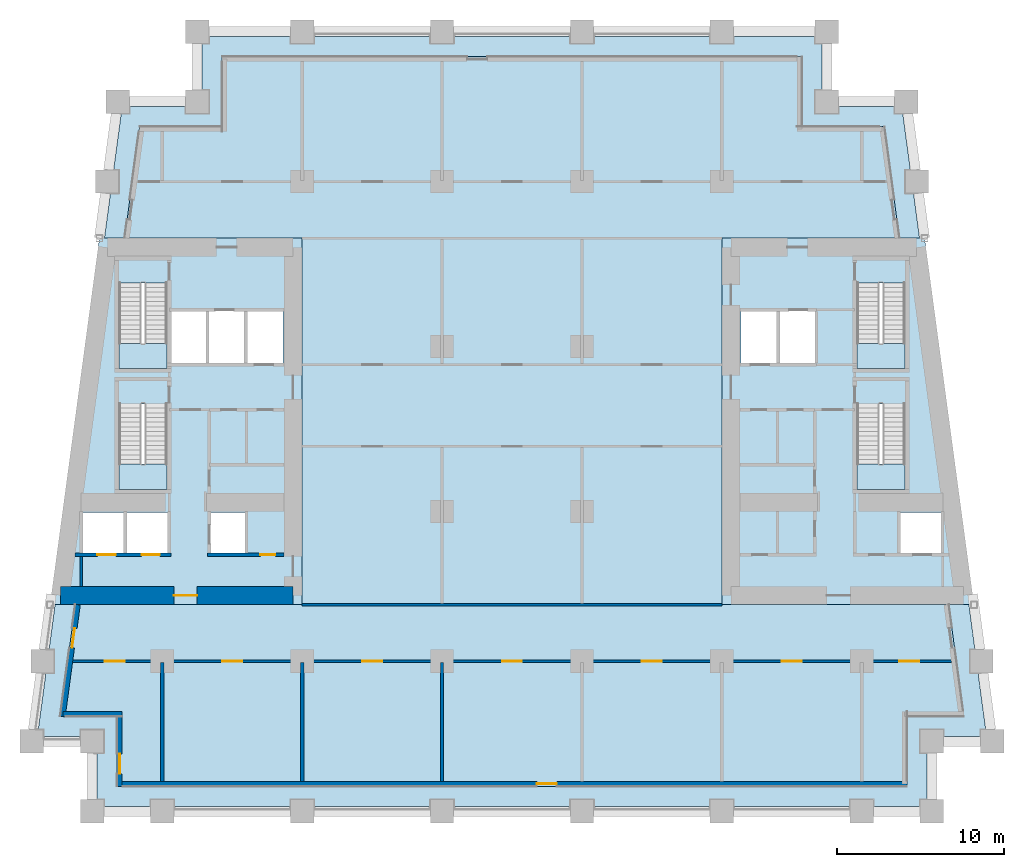
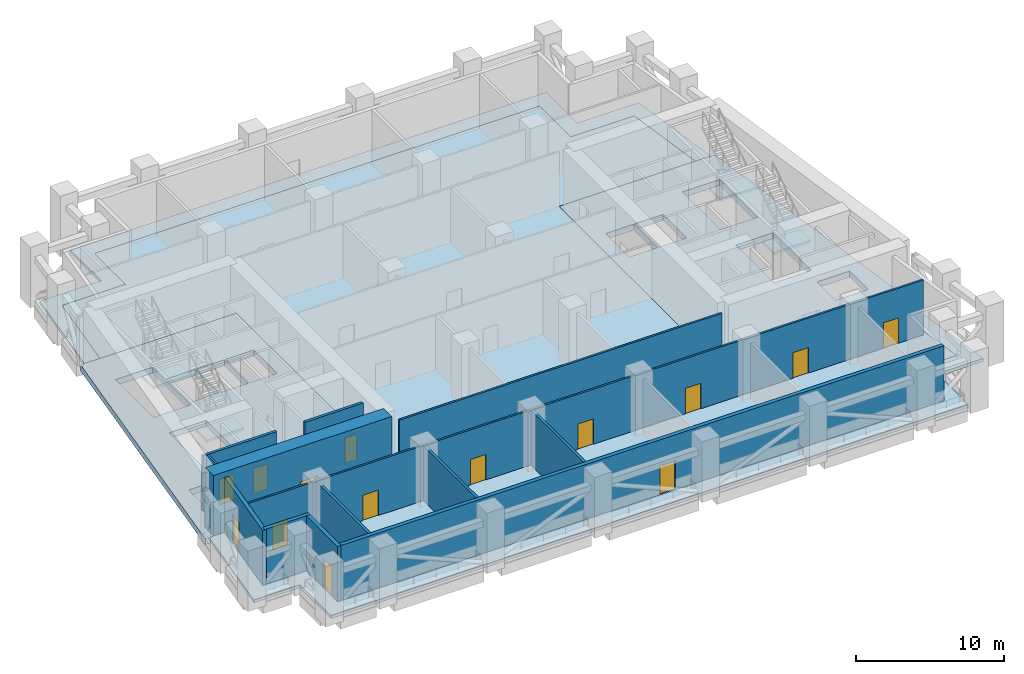
# One storey, part 4 of 12: 14 doors, 13 walls, 9 slabs, 14 openings, 4 elements without a shape of their own.
"""IFC4 building model written with IfcOpenShell, lengths in metres."""

from ifc_helpers import new_model, si_unit, direction, frame, frame_2d, origin, place, context, subcontext, project, spatial, polyline, rectangle, outline, extrude, material, layer, layer_set, type_object, element, fill, aggregate, save


model = new_model("IFC4")

# Units and contexts
model_context = context("Model", 3, precision=1e-05, world=origin(), true_north=direction((0.0, 1.0)))
body_context = subcontext(model_context, "Body", "Model", "MODEL_VIEW")
ifc_project = project(units=[si_unit("LENGTHUNIT", "METRE"), si_unit("AREAUNIT", "SQUARE_METRE"), si_unit("VOLUMEUNIT", "CUBIC_METRE"), si_unit("PLANEANGLEUNIT", "RADIAN"), si_unit("MASSUNIT", "GRAM", prefix="KILO")], contexts=[model_context])

# Site, building, storey
site_placement = place(None, origin())
site = spatial("IfcSite", under=ifc_project, at=site_placement, CompositionType="ELEMENT")
building_placement = place(site_placement, origin())
building = spatial("IfcBuilding", under=site, at=building_placement, Name="Candeia Pilgrim Tower and Theatre", CompositionType="ELEMENT")
storey_placement = place(building_placement, frame((0.0, 0.0, 81.0)))
storey = spatial("IfcBuildingStorey", under=building, at=storey_placement, Name="L18", CompositionType="ELEMENT", Elevation=81.0)

# Slabs
ifc_material_1 = material(Name="Concrete C60/75", Category="concrete")
ifc_layer_1 = layer(ifc_material_1, 0.5)
ifc_layer_set_1 = layer_set([ifc_layer_1], Name="FS-CORE 500 core floor")
slab_type_1 = type_object("IfcSlabType", Name="FS-CORE 500 core floor", PredefinedType="FLOOR", material=ifc_layer_set_1)
slab_1_placement = place(storey_placement, frame((0.0, 0.0, -0.5)))
element("IfcSlab", 1, at=slab_1_placement, inside=storey, type_object=slab_type_1, Name="Core floor W L18", PredefinedType="FLOOR", context=body_context, shape_type="SweptSolid", body=[
    extrude(outline(polyline([(100.800048828125, 132.39990234375), (100.800048828125, 110.39990234375), (85.669189453125, 110.39990234375), (88.630859375, 132.39990234375), (100.800048828125, 132.39990234375)]), holes=[polyline([(97.458984375, 128.050048828125), (97.458984375, 124.85009765625), (99.64990234375, 124.85009765625), (99.64990234375, 128.050048828125), (97.458984375, 128.050048828125)]), polyline([(95.277099609375, 115.949951171875), (95.277099609375, 113.449951171875), (97.41357421875, 113.449951171875), (97.41357421875, 115.949951171875), (95.277099609375, 115.949951171875)]), polyline([(95.16796875, 128.050048828125), (95.16796875, 124.85009765625), (97.35888671875, 124.85009765625), (97.35888671875, 128.050048828125), (95.16796875, 128.050048828125)]), polyline([(92.876953125, 128.050048828125), (92.876953125, 124.85009765625), (95.068115234375, 124.85009765625), (95.068115234375, 128.050048828125), (92.876953125, 128.050048828125)]), polyline([(90.228515625, 115.949951171875), (90.228515625, 113.449951171875), (92.777099609375, 113.449951171875), (92.777099609375, 115.949951171875), (90.228515625, 115.949951171875)]), polyline([(89.802001953125, 122.455078125), (89.802001953125, 117.324951171875), (92.701904296875, 117.324951171875), (92.701904296875, 122.455078125), (89.802001953125, 122.455078125)]), polyline([(89.802001953125, 129.705078125), (89.802001953125, 124.574951171875), (92.701904296875, 124.574951171875), (92.701904296875, 129.705078125), (89.802001953125, 129.705078125)]), polyline([(87.580078125, 115.949951171875), (87.580078125, 113.449951171875), (90.12841796875, 113.449951171875), (90.12841796875, 115.949951171875), (87.580078125, 115.949951171875)])]), origin(), (0.0, 0.0, 1.0), 0.5),
])
slab_2_placement = place(storey_placement, frame((0.0, 0.0, -0.5)))
element("IfcSlab", 2, at=slab_2_placement, inside=storey, type_object=slab_type_1, Name="Core floor E L18", PredefinedType="FLOOR", context=body_context, shape_type="SweptSolid", body=[
    extrude(outline(polyline([(138.169189453125, 132.39990234375), (141.130859375, 110.39990234375), (126.0, 110.39990234375), (126.0, 132.39990234375), (138.169189453125, 132.39990234375)]), holes=[polyline([(136.67138671875, 115.949951171875), (136.67138671875, 113.449951171875), (139.219970703125, 113.449951171875), (139.219970703125, 115.949951171875), (136.67138671875, 115.949951171875)]), polyline([(134.097900390625, 117.324951171875), (136.998046875, 117.324951171875), (136.998046875, 122.455078125), (134.097900390625, 122.455078125), (134.097900390625, 117.324951171875)]), polyline([(134.097900390625, 129.705078125), (134.097900390625, 124.574951171875), (136.998046875, 124.574951171875), (136.998046875, 129.705078125), (134.097900390625, 129.705078125)]), polyline([(131.632080078125, 128.050048828125), (129.44091796875, 128.050048828125), (129.44091796875, 124.85009765625), (131.632080078125, 124.85009765625), (131.632080078125, 128.050048828125)]), polyline([(127.14990234375, 128.050048828125), (127.14990234375, 124.85009765625), (129.341064453125, 124.85009765625), (129.341064453125, 128.050048828125), (127.14990234375, 128.050048828125)])]), origin(), (0.0, 0.0, 1.0), 0.5),
])
ifc_material_2 = material(Name="Concrete C50/60", Category="concrete")
ifc_layer_2 = layer(ifc_material_2, 0.5)
ifc_layer_set_2 = layer_set([ifc_layer_2], Name="Floor slab 500 C50/60")
slab_type_2 = type_object("IfcSlabType", Name="Floor slab 500 C50/60", PredefinedType="FLOOR", material=ifc_layer_set_2)
slab_3_placement = place(storey_placement, frame((0.0, 0.0, -0.5)))
element("IfcSlab", 3, at=slab_3_placement, inside=storey, type_object=slab_type_2, Name="Floor slab L18", PredefinedType="FLOOR", context=body_context, shape_type="SweptSolid", body=[
    extrude(outline(polyline([(96.0, 139.10009765625), (96.0, 143.300048828125), (130.800048828125, 143.300048828125), (130.800048828125, 139.10009765625), (135.753662109375, 139.10009765625), (136.65576171875, 132.39990234375), (126.0, 132.39990234375), (126.0, 110.39990234375), (139.6171875, 110.39990234375), (140.51904296875, 103.699951171875), (137.10009765625, 103.699951171875), (137.10009765625, 99.5), (89.699951171875, 99.5), (89.699951171875, 103.699951171875), (86.28076171875, 103.699951171875), (87.182861328125, 110.39990234375), (100.800048828125, 110.39990234375), (100.800048828125, 132.39990234375), (90.144287109375, 132.39990234375), (91.046142578125, 139.10009765625), (96.0, 139.10009765625)])), origin(), (0.0, 0.0, 1.0), 0.5),
])
ifc_material_3 = material(Name="Concrete C40/50", Category="concrete")
ifc_layer_3 = layer(ifc_material_3, 0.25)
ifc_layer_set_3 = layer_set([ifc_layer_3], Name="Loggia slab 250 C40/50")
slab_type_3 = type_object("IfcSlabType", Name="Loggia slab 250 C40/50", PredefinedType="FLOOR", material=ifc_layer_set_3)
slab_4_placement = place(storey_placement, frame((0.0, 0.0, -0.25)))
element("IfcSlab", 4, at=slab_4_placement, inside=storey, type_object=slab_type_3, Name="Loggia slab L18 1", PredefinedType="FLOOR", context=body_context, shape_type="SweptSolid", body=[
    extrude(outline(polyline([(87.182861328125, 110.39990234375), (86.28076171875, 103.699951171875), (89.699951171875, 103.699951171875), (89.699951171875, 99.5), (137.10009765625, 99.5), (137.10009765625, 103.699951171875), (140.51904296875, 103.699951171875), (139.6171875, 110.39990234375), (140.828125, 110.39990234375), (141.8916015625, 102.5), (138.300048828125, 102.5), (138.300048828125, 98.300048828125), (88.5, 98.300048828125), (88.5, 102.5), (84.908447265625, 102.5), (85.971923828125, 110.39990234375), (87.182861328125, 110.39990234375)])), origin(), (0.0, 0.0, 1.0), 0.25),
])
slab_5_placement = place(storey_placement, frame((0.0, 0.0, -0.25)))
element("IfcSlab", 5, at=slab_5_placement, inside=storey, type_object=slab_type_3, Name="Loggia slab L18 2", PredefinedType="FLOOR", context=body_context, shape_type="SweptSolid", body=[
    extrude(outline(polyline([(136.65576171875, 132.39990234375), (135.753662109375, 139.10009765625), (130.800048828125, 139.10009765625), (130.800048828125, 143.300048828125), (96.0, 143.300048828125), (96.0, 139.10009765625), (91.046142578125, 139.10009765625), (90.144287109375, 132.39990234375), (88.93359375, 132.39990234375), (89.996826171875, 140.300048828125), (94.800048828125, 140.300048828125), (94.800048828125, 144.5), (132.0, 144.5), (132.0, 140.300048828125), (136.802978515625, 140.300048828125), (137.866455078125, 132.39990234375), (136.65576171875, 132.39990234375)])), origin(), (0.0, 0.0, 1.0), 0.25),
])

# Stair, slab
stair_type = type_object("IfcStairType", Name="ST-TWR dog-leg escape stair", PredefinedType="HALF_TURN_STAIR", material=ifc_material_3)
stair_1_placement = place(storey_placement, origin())
stair_1 = element("IfcStair", 6, at=stair_1_placement, inside=storey, type_object=stair_type, Name="L18 Escape stair ST1", PredefinedType="HALF_TURN_STAIR")
ifc_layer_4 = layer(ifc_material_3, 0.199951171875)
ifc_layer_set_4 = layer_set([ifc_layer_4], Name="SL-LANDING stair landing")
slab_type_4 = type_object("IfcSlabType", Name="SL-LANDING stair landing", PredefinedType="LANDING", material=ifc_layer_set_4)
slab_6_placement = place(storey_placement, frame((0.0, 0.0, 2.300048828125)))
slab_6 = element("IfcSlab", 7, at=slab_6_placement, type_object=slab_type_4, Name="ST1 landing 1", PredefinedType="LANDING", context=body_context, shape_type="SweptSolid", body=[
    extrude(outline(polyline([(89.802001953125, 118.8349609375), (89.802001953125, 117.324951171875), (92.701904296875, 117.324951171875), (92.701904296875, 118.8349609375), (89.802001953125, 118.8349609375)])), origin(), (0.0, 0.0, 1.0), 0.199951171875),
])
aggregate(stair_1, [slab_6])

stair_2_placement = place(storey_placement, origin())
stair_2 = element("IfcStair", 8, at=stair_2_placement, inside=storey, type_object=stair_type, Name="L18 Escape stair ST2", PredefinedType="HALF_TURN_STAIR")
slab_7_placement = place(storey_placement, frame((0.0, 0.0, 2.300048828125)))
slab_7 = element("IfcSlab", 9, at=slab_7_placement, type_object=slab_type_4, Name="ST2 landing 1", PredefinedType="LANDING", context=body_context, shape_type="SweptSolid", body=[
    extrude(outline(polyline([(89.802001953125, 126.0849609375), (89.802001953125, 124.574951171875), (92.701904296875, 124.574951171875), (92.701904296875, 126.0849609375), (89.802001953125, 126.0849609375)])), origin(), (0.0, 0.0, 1.0), 0.199951171875),
])
aggregate(stair_2, [slab_7])

stair_3_placement = place(storey_placement, origin())
stair_3 = element("IfcStair", 10, at=stair_3_placement, inside=storey, type_object=stair_type, Name="L18 Escape stair ST3", PredefinedType="HALF_TURN_STAIR")
slab_8_placement = place(storey_placement, frame((0.0, 0.0, 2.300048828125)))
slab_8 = element("IfcSlab", 11, at=slab_8_placement, type_object=slab_type_4, Name="ST3 landing 1", PredefinedType="LANDING", context=body_context, shape_type="SweptSolid", body=[
    extrude(outline(polyline([(134.097900390625, 118.8349609375), (134.097900390625, 117.324951171875), (136.998046875, 117.324951171875), (136.998046875, 118.8349609375), (134.097900390625, 118.8349609375)])), origin(), (0.0, 0.0, 1.0), 0.199951171875),
])
aggregate(stair_3, [slab_8])

stair_4_placement = place(storey_placement, origin())
stair_4 = element("IfcStair", 12, at=stair_4_placement, inside=storey, type_object=stair_type, Name="L18 Escape stair ST4", PredefinedType="HALF_TURN_STAIR")
slab_9_placement = place(storey_placement, frame((0.0, 0.0, 2.300048828125)))
slab_9 = element("IfcSlab", 13, at=slab_9_placement, type_object=slab_type_4, Name="ST4 landing 1", PredefinedType="LANDING", context=body_context, shape_type="SweptSolid", body=[
    extrude(outline(polyline([(134.097900390625, 126.0849609375), (134.097900390625, 124.574951171875), (136.998046875, 124.574951171875), (136.998046875, 126.0849609375), (134.097900390625, 126.0849609375)])), origin(), (0.0, 0.0, 1.0), 0.199951171875),
])
aggregate(stair_4, [slab_9])

# Wall, opening, door
ifc_material_4 = material(Name="Concrete C80/95", Category="concrete")
ifc_layer_5 = layer(ifc_material_4, 1.10009765625)
ifc_layer_set_5 = layer_set([ifc_layer_5], Name="Core wall 1100 C80/95")
wall_type_1 = type_object("IfcWallType", Name="Core wall 1100 C80/95", PredefinedType="SHEAR", material=ifc_layer_set_5)
wall_1_placement = place(storey_placement, frame((100.25, 110.949951171875, 0.0), z_axis=(0.0, 0.0, 1.0), x_axis=(-1.0, 0.0, 0.0)))
wall_1 = element("IfcWall", 14, at=wall_1_placement, inside=storey, type_object=wall_type_1, Name="Core wall W3", PredefinedType="SHEAR", context=body_context, shape_type="SweptSolid", body=[
    extrude(rectangle(XDim=13.95166015625, YDim=1.10009765625, at=frame_2d((6.975830078125, 0.0))), origin(), (0.0, 0.0, 1.0), 5.0),
])
opening_1_placement = place(wall_1_placement, frame((5.74755859375, 0.0, 0.0)))
opening_1 = element("IfcOpeningElement", 15, at=opening_1_placement, cuts=wall_1, Name="Opening L18-D039", PredefinedType="OPENING", context=body_context, shape_type="SweptSolid", body=[
    extrude(rectangle(XDim=1.39990234375, YDim=2.10009765625, at=frame_2d((0.699951171875, 1.050048828125))), frame((0.0, 0.56005859375, 0.0), z_axis=(0.0, -1.0, 0.0), x_axis=(1.0, 0.0, 0.0)), (0.0, 0.0, 1.0), 1.1201171875),
])
ifc_material_5 = material(Name="Steel fire door set", Category="steel")
door_type_1 = type_object("IfcDoorType", Name="D-1400-FD60", OperationType="NOTDEFINED", PredefinedType="DOOR", material=ifc_material_5)
door_1_placement = place(opening_1_placement, origin())
door_1 = element("IfcDoor", 16, at=door_1_placement, inside=storey, type_object=door_type_1, Name="Door L18-D039", OperationType="SINGLE_SWING_LEFT", OverallHeight=2.10009765625, OverallWidth=1.39990234375, PredefinedType="DOOR", context=body_context, shape_type="SweptSolid", body=[
    extrude(rectangle(XDim=1.39990234375, YDim=2.10009765625, at=frame_2d((0.699951171875, 1.050048828125))), frame((0.0, 0.02490234375, 0.0), z_axis=(0.0, -1.0, 0.0), x_axis=(1.0, 0.0, 0.0)), (0.0, 0.0, 1.0), 0.050048828125),
])
fill(opening_1, door_1)

ifc_material_6 = material(Name="Ceramic block masonry", Category="masonry")
ifc_layer_6 = layer(ifc_material_6, 0.300048828125)
ifc_layer_set_6 = layer_set([ifc_layer_6], Name="EW1 glazing-line wall 300")
wall_type_2 = type_object("IfcWallType", Name="EW1 glazing-line wall 300", PredefinedType="SOLIDWALL", material=ifc_layer_set_6)
wall_2_placement = place(storey_placement, frame((89.85009765625, 99.64990234375, 0.0), z_axis=(0.0, 0.0, 1.0), x_axis=(1.0, 0.0, 0.0)))
wall_2 = element("IfcWall", 17, at=wall_2_placement, inside=storey, type_object=wall_type_2, Name="External wall L18-0.0", PredefinedType="SOLIDWALL", context=body_context, shape_type="SweptSolid", body=[
    extrude(rectangle(XDim=47.25, YDim=0.300048828125, at=frame_2d((23.625, 0.0))), origin(), (0.0, 0.0, 1.0), 4.550048828125),
])
opening_2_placement = place(wall_2_placement, frame((25.050048828125, 0.0, 0.0)))
opening_2 = element("IfcOpeningElement", 18, at=opening_2_placement, cuts=wall_2, Name="Opening L18-ED194", PredefinedType="OPENING", context=body_context, shape_type="SweptSolid", body=[
    extrude(rectangle(XDim=1.199951171875, YDim=2.39990234375, at=frame_2d((0.60009765625, 1.199951171875))), frame((0.0, 0.16015625, 0.0), z_axis=(0.0, -1.0, 0.0), x_axis=(1.0, 0.0, 0.0)), (0.0, 0.0, 1.0), 0.320068359375),
])
ifc_material_7 = material(Name="Aluminium framed glazed door", Category="aluminium")
door_type_2 = type_object("IfcDoorType", Name="Loggia door 1200x2400", OperationType="DOUBLE_DOOR_SINGLE_SWING", PredefinedType="DOOR", material=ifc_material_7)
door_2_placement = place(opening_2_placement, origin())
door_2 = element("IfcDoor", 19, at=door_2_placement, inside=storey, type_object=door_type_2, Name="Loggia door L18-ED194", OperationType="DOUBLE_DOOR_SINGLE_SWING", OverallHeight=2.39990234375, OverallWidth=1.199951171875, PredefinedType="DOOR", context=body_context, shape_type="SweptSolid", body=[
    extrude(rectangle(XDim=1.199951171875, YDim=2.39990234375, at=frame_2d((0.60009765625, 1.199951171875))), frame((0.0, 0.02490234375, 0.0), z_axis=(0.0, -1.0, 0.0), x_axis=(1.0, 0.0, 0.0)), (0.0, 0.0, 1.0), 0.050048828125),
])
fill(opening_2, door_2)

wall_3_placement = place(storey_placement, frame((87.334228515625, 110.39990234375, 0.0), z_axis=(0.0, 0.0, 1.0), x_axis=(-0.133437175554, -0.991057273915, 0.0)))
wall_3 = element("IfcWall", 20, at=wall_3_placement, inside=storey, type_object=wall_type_2, Name="External wall L18-9.1", PredefinedType="SOLIDWALL", context=body_context, shape_type="SweptSolid", body=[
    extrude(rectangle(XDim=6.780517578125, YDim=0.300048828125, at=frame_2d((3.39013671875, 0.0))), origin(), (0.0, 0.0, 1.0), 4.550048828125),
])
opening_3_placement = place(wall_3_placement, frame((1.41796875, 0.0, 0.0)))
opening_3 = element("IfcOpeningElement", 21, at=opening_3_placement, cuts=wall_3, Name="Opening L18-ED199", PredefinedType="OPENING", context=body_context, shape_type="SweptSolid", body=[
    extrude(rectangle(XDim=1.199951171875, YDim=2.39990234375, at=frame_2d((0.60009765625, 1.199951171875))), frame((0.0, 0.16015625, 0.0), z_axis=(0.0, -1.0, 0.0), x_axis=(1.0, 0.0, 0.0)), (0.0, 0.0, 1.0), 0.320068359375),
])
door_3_placement = place(opening_3_placement, origin())
door_3 = element("IfcDoor", 22, at=door_3_placement, inside=storey, type_object=door_type_2, Name="Loggia door L18-ED199", OperationType="DOUBLE_DOOR_SINGLE_SWING", OverallHeight=2.39990234375, OverallWidth=1.199951171875, PredefinedType="DOOR", context=body_context, shape_type="SweptSolid", body=[
    extrude(rectangle(XDim=1.199951171875, YDim=2.39990234375, at=frame_2d((0.60009765625, 1.199951171875))), frame((0.0, 0.02490234375, 0.0), z_axis=(0.0, -1.0, 0.0), x_axis=(1.0, 0.0, 0.0)), (0.0, 0.0, 1.0), 0.050048828125),
])
fill(opening_3, door_3)

# Wall
wall_4_placement = place(storey_placement, frame((86.452392578125, 103.85009765625, 0.0), z_axis=(0.0, 0.0, 1.0), x_axis=(1.0, 0.0, 0.0)))
element("IfcWall", 23, at=wall_4_placement, inside=storey, type_object=wall_type_2, Name="External wall L18-10.0", PredefinedType="SOLIDWALL", context=body_context, shape_type="SweptSolid", body=[
    extrude(rectangle(XDim=3.547607421875, YDim=0.300048828125, at=frame_2d((1.77392578125, 0.0))), origin(), (0.0, 0.0, 1.0), 4.550048828125),
])

# Wall, opening, door
wall_5_placement = place(storey_placement, frame((89.85009765625, 103.85009765625, 0.0), z_axis=(0.0, 0.0, 1.0), x_axis=(0.0, -1.0, 0.0)))
wall_5 = element("IfcWall", 24, at=wall_5_placement, inside=storey, type_object=wall_type_2, Name="External wall L18-11.0", PredefinedType="SOLIDWALL", context=body_context, shape_type="SweptSolid", body=[
    extrude(rectangle(XDim=4.35009765625, YDim=0.300048828125, at=frame_2d((2.175048828125, 0.0))), origin(), (0.0, 0.0, 1.0), 4.550048828125),
])
opening_4_placement = place(wall_5_placement, frame((2.39990234375, 0.0, 0.0)))
opening_4 = element("IfcOpeningElement", 25, at=opening_4_placement, cuts=wall_5, Name="Opening L18-ED200", PredefinedType="OPENING", context=body_context, shape_type="SweptSolid", body=[
    extrude(rectangle(XDim=1.199951171875, YDim=2.39990234375, at=frame_2d((0.60009765625, 1.199951171875))), frame((0.0, 0.16015625, 0.0), z_axis=(0.0, -1.0, 0.0), x_axis=(1.0, 0.0, 0.0)), (0.0, 0.0, 1.0), 0.320068359375),
])
door_4_placement = place(opening_4_placement, origin())
door_4 = element("IfcDoor", 26, at=door_4_placement, inside=storey, type_object=door_type_2, Name="Loggia door L18-ED200", OperationType="DOUBLE_DOOR_SINGLE_SWING", OverallHeight=2.39990234375, OverallWidth=1.199951171875, PredefinedType="DOOR", context=body_context, shape_type="SweptSolid", body=[
    extrude(rectangle(XDim=1.199951171875, YDim=2.39990234375, at=frame_2d((0.60009765625, 1.199951171875))), frame((0.0, 0.02490234375, 0.0), z_axis=(0.0, -1.0, 0.0), x_axis=(1.0, 0.0, 0.0)), (0.0, 0.0, 1.0), 0.050048828125),
])
fill(opening_4, door_4)

# Wall
ifc_material_8 = material(Name="Gypsum board partition on steel studs", Category="steel")
ifc_layer_7 = layer(ifc_material_8, 0.14990234375)
ifc_layer_set_7 = layer_set([ifc_layer_7], Name="PW-150 lobby wall")
wall_type_3 = type_object("IfcWallType", Name="PW-150 lobby wall", PredefinedType="PARTITIONING", material=ifc_layer_set_7)
wall_6_placement = place(storey_placement, frame((87.530029296875, 111.5, 0.0), z_axis=(0.0, 0.0, 1.0), x_axis=(0.0, 1.0, 0.0)))
element("IfcWall", 27, at=wall_6_placement, inside=storey, type_object=wall_type_3, Name="Lobby wall L18-032", PredefinedType="PARTITIONING", context=body_context, shape_type="SweptSolid", body=[
    extrude(rectangle(XDim=1.800048828125, YDim=0.14990234375, at=frame_2d((0.89990234375, 0.0))), origin(), (0.0, 0.0, 1.0), 4.550048828125),
])

# Wall, openings, doors
ifc_layer_8 = layer(ifc_material_8, 0.14990234375)
ifc_layer_set_8 = layer_set([ifc_layer_8], Name="PW-150 unit wall")
wall_type_4 = type_object("IfcWallType", Name="PW-150 unit wall", PredefinedType="PARTITIONING", material=ifc_layer_set_8)
wall_7_placement = place(storey_placement, frame((87.017578125, 107.0, 0.0), z_axis=(0.0, 0.0, 1.0), x_axis=(1.0, 0.0, 0.0)))
wall_7 = element("IfcWall", 28, at=wall_7_placement, inside=storey, type_object=wall_type_4, Name="Unit wall L18-001", PredefinedType="PARTITIONING", context=body_context, shape_type="SweptSolid", body=[
    extrude(rectangle(XDim=52.7646484375, YDim=0.14990234375, at=frame_2d((26.38232421875, 0.0))), origin(), (0.0, 0.0, 1.0), 4.550048828125),
])
opening_5_placement = place(wall_7_placement, frame((1.9443359375, 0.0, 0.0)))
opening_5 = element("IfcOpeningElement", 29, at=opening_5_placement, cuts=wall_7, Name="Opening L18-D001", PredefinedType="OPENING", context=body_context, shape_type="SweptSolid", body=[
    extrude(rectangle(XDim=1.199951171875, YDim=2.10009765625, at=frame_2d((0.60009765625, 1.050048828125))), frame((0.0, 0.0849609375, 0.0), z_axis=(0.0, -1.0, 0.0), x_axis=(1.0, 0.0, 0.0)), (0.0, 0.0, 1.0), 0.169921875),
])
opening_6_placement = place(wall_7_placement, frame((8.982421875, 0.0, 0.0)))
opening_6 = element("IfcOpeningElement", 30, at=opening_6_placement, cuts=wall_7, Name="Opening L18-D003", PredefinedType="OPENING", context=body_context, shape_type="SweptSolid", body=[
    extrude(rectangle(XDim=1.199951171875, YDim=2.10009765625, at=frame_2d((0.60009765625, 1.050048828125))), frame((0.0, 0.0849609375, 0.0), z_axis=(0.0, -1.0, 0.0), x_axis=(1.0, 0.0, 0.0)), (0.0, 0.0, 1.0), 0.169921875),
])
opening_7_placement = place(wall_7_placement, frame((17.38232421875, 0.0, 0.0)))
opening_7 = element("IfcOpeningElement", 31, at=opening_7_placement, cuts=wall_7, Name="Opening L18-D005", PredefinedType="OPENING", context=body_context, shape_type="SweptSolid", body=[
    extrude(rectangle(XDim=1.199951171875, YDim=2.10009765625, at=frame_2d((0.60009765625, 1.050048828125))), frame((0.0, 0.0849609375, 0.0), z_axis=(0.0, -1.0, 0.0), x_axis=(1.0, 0.0, 0.0)), (0.0, 0.0, 1.0), 0.169921875),
])
opening_8_placement = place(wall_7_placement, frame((25.7822265625, 0.0, 0.0)))
opening_8 = element("IfcOpeningElement", 32, at=opening_8_placement, cuts=wall_7, Name="Opening L18-D007", PredefinedType="OPENING", context=body_context, shape_type="SweptSolid", body=[
    extrude(rectangle(XDim=1.199951171875, YDim=2.10009765625, at=frame_2d((0.60009765625, 1.050048828125))), frame((0.0, 0.0849609375, 0.0), z_axis=(0.0, -1.0, 0.0), x_axis=(1.0, 0.0, 0.0)), (0.0, 0.0, 1.0), 0.169921875),
])
opening_9_placement = place(wall_7_placement, frame((34.182373046875, 0.0, 0.0)))
opening_9 = element("IfcOpeningElement", 33, at=opening_9_placement, cuts=wall_7, Name="Opening L18-D009", PredefinedType="OPENING", context=body_context, shape_type="SweptSolid", body=[
    extrude(rectangle(XDim=1.199951171875, YDim=2.10009765625, at=frame_2d((0.60009765625, 1.050048828125))), frame((0.0, 0.0849609375, 0.0), z_axis=(0.0, -1.0, 0.0), x_axis=(1.0, 0.0, 0.0)), (0.0, 0.0, 1.0), 0.169921875),
])
opening_10_placement = place(wall_7_placement, frame((42.582275390625, 0.0, 0.0)))
opening_10 = element("IfcOpeningElement", 34, at=opening_10_placement, cuts=wall_7, Name="Opening L18-D011", PredefinedType="OPENING", context=body_context, shape_type="SweptSolid", body=[
    extrude(rectangle(XDim=1.199951171875, YDim=2.10009765625, at=frame_2d((0.60009765625, 1.050048828125))), frame((0.0, 0.0849609375, 0.0), z_axis=(0.0, -1.0, 0.0), x_axis=(1.0, 0.0, 0.0)), (0.0, 0.0, 1.0), 0.169921875),
])
opening_11_placement = place(wall_7_placement, frame((49.619384765625, 0.0, 0.0)))
opening_11 = element("IfcOpeningElement", 35, at=opening_11_placement, cuts=wall_7, Name="Opening L18-D013", PredefinedType="OPENING", context=body_context, shape_type="SweptSolid", body=[
    extrude(rectangle(XDim=1.199951171875, YDim=2.10009765625, at=frame_2d((0.60009765625, 1.050048828125))), frame((0.0, 0.0849609375, 0.0), z_axis=(0.0, -1.0, 0.0), x_axis=(1.0, 0.0, 0.0)), (0.0, 0.0, 1.0), 0.169921875),
])
door_type_3 = type_object("IfcDoorType", Name="D-1200-FD60", OperationType="NOTDEFINED", PredefinedType="DOOR", material=ifc_material_5)
door_5_placement = place(opening_5_placement, origin())
door_5 = element("IfcDoor", 36, at=door_5_placement, inside=storey, type_object=door_type_3, Name="Door L18-D001", OperationType="SINGLE_SWING_LEFT", OverallHeight=2.10009765625, OverallWidth=1.199951171875, PredefinedType="DOOR", context=body_context, shape_type="SweptSolid", body=[
    extrude(rectangle(XDim=1.199951171875, YDim=2.10009765625, at=frame_2d((0.60009765625, 1.050048828125))), frame((0.0, 0.02490234375, 0.0), z_axis=(0.0, -1.0, 0.0), x_axis=(1.0, 0.0, 0.0)), (0.0, 0.0, 1.0), 0.050048828125),
])
fill(opening_5, door_5)
door_6_placement = place(opening_6_placement, origin())
door_6 = element("IfcDoor", 37, at=door_6_placement, inside=storey, type_object=door_type_3, Name="Door L18-D003", OperationType="SINGLE_SWING_LEFT", OverallHeight=2.10009765625, OverallWidth=1.199951171875, PredefinedType="DOOR", context=body_context, shape_type="SweptSolid", body=[
    extrude(rectangle(XDim=1.199951171875, YDim=2.10009765625, at=frame_2d((0.60009765625, 1.050048828125))), frame((0.0, 0.02490234375, 0.0), z_axis=(0.0, -1.0, 0.0), x_axis=(1.0, 0.0, 0.0)), (0.0, 0.0, 1.0), 0.050048828125),
])
fill(opening_6, door_6)
door_7_placement = place(opening_7_placement, origin())
door_7 = element("IfcDoor", 38, at=door_7_placement, inside=storey, type_object=door_type_3, Name="Door L18-D005", OperationType="SINGLE_SWING_LEFT", OverallHeight=2.10009765625, OverallWidth=1.199951171875, PredefinedType="DOOR", context=body_context, shape_type="SweptSolid", body=[
    extrude(rectangle(XDim=1.199951171875, YDim=2.10009765625, at=frame_2d((0.60009765625, 1.050048828125))), frame((0.0, 0.02490234375, 0.0), z_axis=(0.0, -1.0, 0.0), x_axis=(1.0, 0.0, 0.0)), (0.0, 0.0, 1.0), 0.050048828125),
])
fill(opening_7, door_7)
door_8_placement = place(opening_8_placement, origin())
door_8 = element("IfcDoor", 39, at=door_8_placement, inside=storey, type_object=door_type_3, Name="Door L18-D007", OperationType="SINGLE_SWING_LEFT", OverallHeight=2.10009765625, OverallWidth=1.199951171875, PredefinedType="DOOR", context=body_context, shape_type="SweptSolid", body=[
    extrude(rectangle(XDim=1.199951171875, YDim=2.10009765625, at=frame_2d((0.60009765625, 1.050048828125))), frame((0.0, 0.02490234375, 0.0), z_axis=(0.0, -1.0, 0.0), x_axis=(1.0, 0.0, 0.0)), (0.0, 0.0, 1.0), 0.050048828125),
])
fill(opening_8, door_8)
door_9_placement = place(opening_9_placement, origin())
door_9 = element("IfcDoor", 40, at=door_9_placement, inside=storey, type_object=door_type_3, Name="Door L18-D009", OperationType="SINGLE_SWING_LEFT", OverallHeight=2.10009765625, OverallWidth=1.199951171875, PredefinedType="DOOR", context=body_context, shape_type="SweptSolid", body=[
    extrude(rectangle(XDim=1.199951171875, YDim=2.10009765625, at=frame_2d((0.60009765625, 1.050048828125))), frame((0.0, 0.02490234375, 0.0), z_axis=(0.0, -1.0, 0.0), x_axis=(1.0, 0.0, 0.0)), (0.0, 0.0, 1.0), 0.050048828125),
])
fill(opening_9, door_9)
door_10_placement = place(opening_10_placement, origin())
door_10 = element("IfcDoor", 41, at=door_10_placement, inside=storey, type_object=door_type_3, Name="Door L18-D011", OperationType="SINGLE_SWING_LEFT", OverallHeight=2.10009765625, OverallWidth=1.199951171875, PredefinedType="DOOR", context=body_context, shape_type="SweptSolid", body=[
    extrude(rectangle(XDim=1.199951171875, YDim=2.10009765625, at=frame_2d((0.60009765625, 1.050048828125))), frame((0.0, 0.02490234375, 0.0), z_axis=(0.0, -1.0, 0.0), x_axis=(1.0, 0.0, 0.0)), (0.0, 0.0, 1.0), 0.050048828125),
])
fill(opening_10, door_10)
door_11_placement = place(opening_11_placement, origin())
door_11 = element("IfcDoor", 42, at=door_11_placement, inside=storey, type_object=door_type_3, Name="Door L18-D013", OperationType="SINGLE_SWING_LEFT", OverallHeight=2.10009765625, OverallWidth=1.199951171875, PredefinedType="DOOR", context=body_context, shape_type="SweptSolid", body=[
    extrude(rectangle(XDim=1.199951171875, YDim=2.10009765625, at=frame_2d((0.60009765625, 1.050048828125))), frame((0.0, 0.02490234375, 0.0), z_axis=(0.0, -1.0, 0.0), x_axis=(1.0, 0.0, 0.0)), (0.0, 0.0, 1.0), 0.050048828125),
])
fill(opening_11, door_11)

# Walls
wall_8_placement = place(storey_placement, frame((100.800048828125, 110.39990234375, 0.0), z_axis=(0.0, 0.0, 1.0), x_axis=(1.0, 0.0, 0.0)))
element("IfcWall", 43, at=wall_8_placement, inside=storey, type_object=wall_type_4, Name="Unit wall L18-002", PredefinedType="PARTITIONING", context=body_context, shape_type="SweptSolid", body=[
    extrude(rectangle(XDim=25.199951171875, YDim=0.14990234375, at=frame_2d((12.60009765625, 0.0))), origin(), (0.0, 0.0, 1.0), 4.550048828125),
])
ifc_layer_9 = layer(ifc_material_8, 0.199951171875)
ifc_layer_set_9 = layer_set([ifc_layer_9], Name="PW-200 party wall")
wall_type_5 = type_object("IfcWallType", Name="PW-200 party wall", PredefinedType="PARTITIONING", material=ifc_layer_set_9)
for number, where, z_axis, x_axis, name in (
    (44, (92.39990234375, 99.7900390625, 0.0), (0.0, 0.0, 1.0), (0.0, 1.0, 0.0), "Party wall L18-036"),
    (45, (100.800048828125, 99.7900390625, 0.0), (0.0, 0.0, 1.0), (0.0, 1.0, 0.0), "Party wall L18-050"),
    (46, (109.199951171875, 99.7900390625, 0.0), (0.0, 0.0, 1.0), (0.0, 1.0, 0.0), "Party wall L18-052"),
):
    element("IfcWall", number, at=place(storey_placement, frame(where, z_axis=z_axis, x_axis=x_axis)), inside=storey, type_object=wall_type_5, Name=name, PredefinedType="PARTITIONING", context=body_context, shape_type="SweptSolid", body=[
        extrude(rectangle(XDim=7.135009765625, YDim=0.199951171875, at=frame_2d((3.5673828125, 0.0))), origin(), (0.0, 0.0, 1.0), 4.550048828125),
    ])

# Wall, openings, doors
ifc_layer_10 = layer(ifc_material_3, 0.199951171875)
ifc_layer_set_10 = layer_set([ifc_layer_10], Name="SW-200 shaft wall")
wall_type_6 = type_object("IfcWallType", Name="SW-200 shaft wall", PredefinedType="PARTITIONING", material=ifc_layer_set_10)
wall_9_placement = place(storey_placement, frame((87.153076171875, 113.39990234375, 0.0), z_axis=(0.0, 0.0, 1.0), x_axis=(1.0, 0.0, 0.0)))
wall_9 = element("IfcWall", 47, at=wall_9_placement, inside=storey, type_object=wall_type_6, Name="Shaft wall L18-003", PredefinedType="PARTITIONING", context=body_context, shape_type="SweptSolid", body=[
    extrude(rectangle(XDim=5.77392578125, YDim=0.199951171875, at=frame_2d((2.886962890625, 0.0))), origin(), (0.0, 0.0, 1.0), 4.550048828125),
])
opening_12_placement = place(wall_9_placement, frame((1.363037109375, 0.0, 0.0)))
opening_12 = element("IfcOpeningElement", 48, at=opening_12_placement, cuts=wall_9, Name="Opening L18-LD03", PredefinedType="OPENING", context=body_context, shape_type="SweptSolid", body=[
    extrude(rectangle(XDim=1.10009765625, YDim=2.10009765625, at=frame_2d((0.550048828125, 1.050048828125))), frame((0.0, 0.10986328125, 0.0), z_axis=(0.0, -1.0, 0.0), x_axis=(1.0, 0.0, 0.0)), (0.0, 0.0, 1.0), 0.219970703125),
])
opening_13_placement = place(wall_9_placement, frame((4.011962890625, 0.0, 0.0)))
opening_13 = element("IfcOpeningElement", 49, at=opening_13_placement, cuts=wall_9, Name="Opening L18-LD04", PredefinedType="OPENING", context=body_context, shape_type="SweptSolid", body=[
    extrude(rectangle(XDim=1.10009765625, YDim=2.10009765625, at=frame_2d((0.550048828125, 1.050048828125))), frame((0.0, 0.10986328125, 0.0), z_axis=(0.0, -1.0, 0.0), x_axis=(1.0, 0.0, 0.0)), (0.0, 0.0, 1.0), 0.219970703125),
])
ifc_material_9 = material(Name="Glazed aluminium landing door", Category="aluminium")
door_type_4 = type_object("IfcDoorType", Name="LD-1100-EI120", OperationType="SLIDING_TO_LEFT", PredefinedType="DOOR", material=ifc_material_9)
door_12_placement = place(opening_12_placement, origin())
door_12 = element("IfcDoor", 50, at=door_12_placement, inside=storey, type_object=door_type_4, Name="Landing door 03 L18", OperationType="SLIDING_TO_LEFT", OverallHeight=2.10009765625, OverallWidth=1.10009765625, PredefinedType="DOOR", context=body_context, shape_type="SweptSolid", body=[
    extrude(rectangle(XDim=1.10009765625, YDim=2.10009765625, at=frame_2d((0.550048828125, 1.050048828125))), frame((0.0, 0.02490234375, 0.0), z_axis=(0.0, -1.0, 0.0), x_axis=(1.0, 0.0, 0.0)), (0.0, 0.0, 1.0), 0.050048828125),
])
fill(opening_12, door_12)
door_13_placement = place(opening_13_placement, origin())
door_13 = element("IfcDoor", 51, at=door_13_placement, inside=storey, type_object=door_type_4, Name="Landing door 04 L18", OperationType="SLIDING_TO_LEFT", OverallHeight=2.10009765625, OverallWidth=1.10009765625, PredefinedType="DOOR", context=body_context, shape_type="SweptSolid", body=[
    extrude(rectangle(XDim=1.10009765625, YDim=2.10009765625, at=frame_2d((0.550048828125, 1.050048828125))), frame((0.0, 0.02490234375, 0.0), z_axis=(0.0, -1.0, 0.0), x_axis=(1.0, 0.0, 0.0)), (0.0, 0.0, 1.0), 0.050048828125),
])
fill(opening_13, door_13)

# Wall, opening, door
wall_10_placement = place(storey_placement, frame((95.126953125, 113.39990234375, 0.0), z_axis=(0.0, 0.0, 1.0), x_axis=(1.0, 0.0, 0.0)))
wall_10 = element("IfcWall", 52, at=wall_10_placement, inside=storey, type_object=wall_type_6, Name="Shaft wall L18-004", PredefinedType="PARTITIONING", context=body_context, shape_type="SweptSolid", body=[
    extrude(rectangle(XDim=4.572998046875, YDim=0.199951171875, at=frame_2d((2.28662109375, 0.0))), origin(), (0.0, 0.0, 1.0), 4.550048828125),
])
opening_14_placement = place(wall_10_placement, frame((3.1640625, 0.0, 0.0)))
opening_14 = element("IfcOpeningElement", 53, at=opening_14_placement, cuts=wall_10, Name="Opening L18-D027", PredefinedType="OPENING", context=body_context, shape_type="SweptSolid", body=[
    extrude(rectangle(XDim=0.89990234375, YDim=2.10009765625, at=frame_2d((0.449951171875, 1.050048828125))), frame((0.0, 0.10986328125, 0.0), z_axis=(0.0, -1.0, 0.0), x_axis=(1.0, 0.0, 0.0)), (0.0, 0.0, 1.0), 0.219970703125),
])
door_type_5 = type_object("IfcDoorType", Name="D-900-FD60", OperationType="NOTDEFINED", PredefinedType="DOOR", material=ifc_material_5)
door_14_placement = place(opening_14_placement, origin())
door_14 = element("IfcDoor", 54, at=door_14_placement, inside=storey, type_object=door_type_5, Name="Door L18-D027", OperationType="SINGLE_SWING_RIGHT", OverallHeight=2.10009765625, OverallWidth=0.89990234375, PredefinedType="DOOR", context=body_context, shape_type="SweptSolid", body=[
    extrude(rectangle(XDim=0.89990234375, YDim=2.10009765625, at=frame_2d((0.449951171875, 1.050048828125))), frame((0.0, 0.02490234375, 0.0), z_axis=(0.0, -1.0, 0.0), x_axis=(1.0, 0.0, 0.0)), (0.0, 0.0, 1.0), 0.050048828125),
])
fill(opening_14, door_14)

save(model, "model.ifc")
